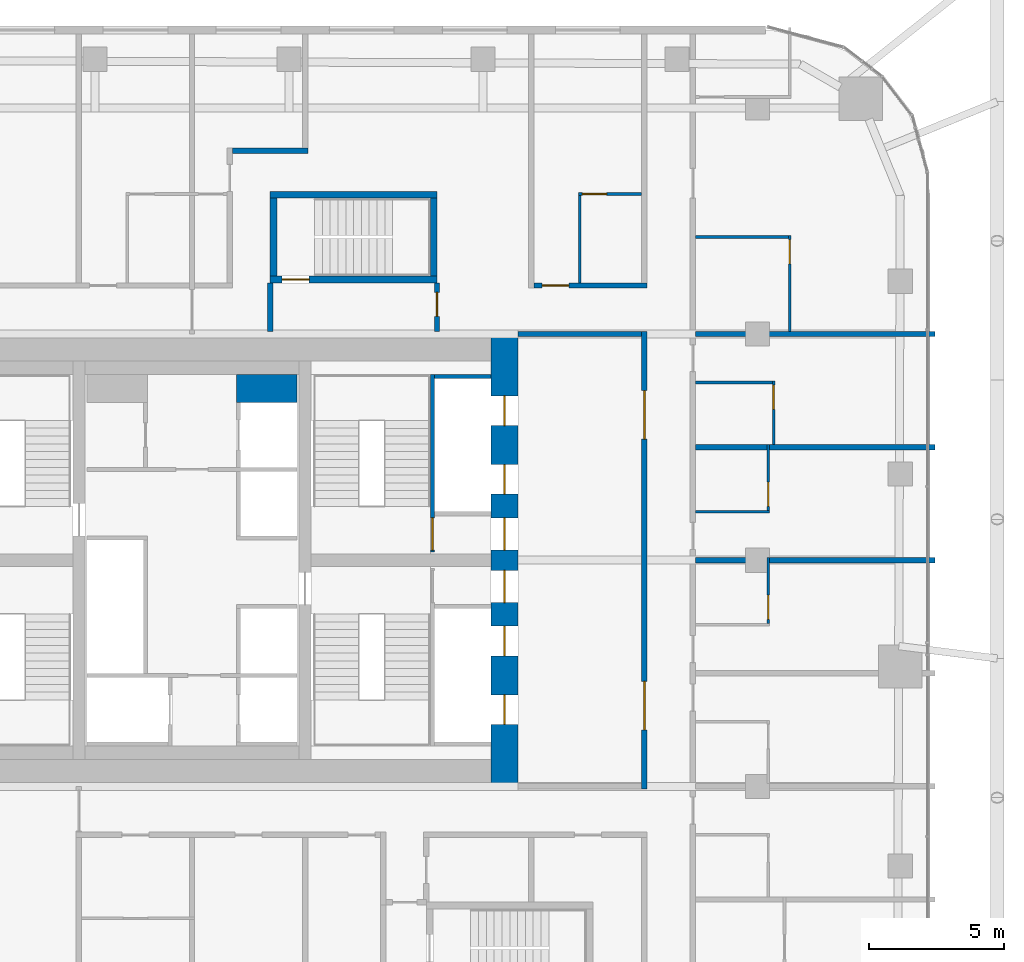
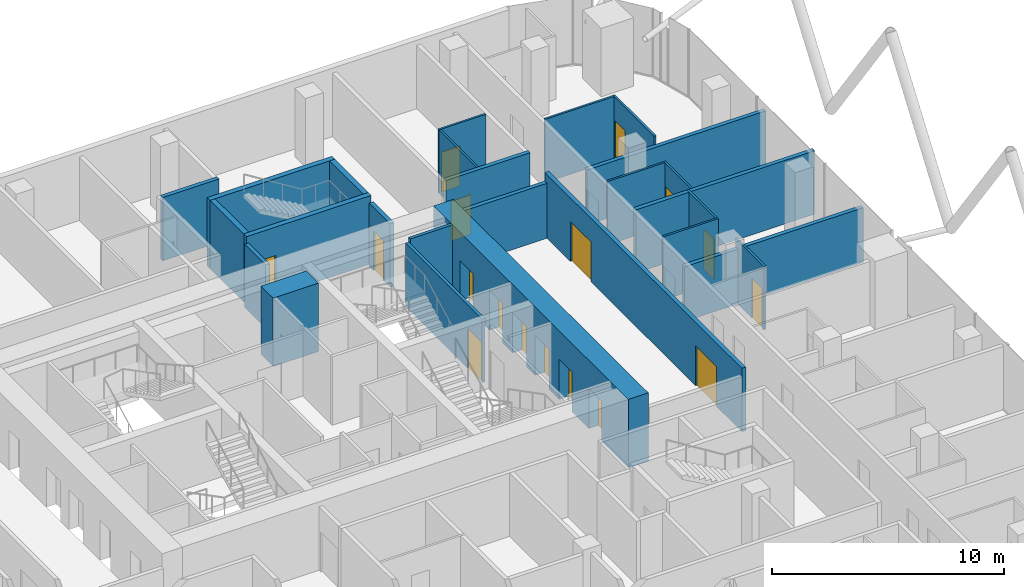
# One storey, part 33 of 36: 26 walls, 17 doors, 17 openings.
"""IFC4 building model written with IfcOpenShell, lengths in metres."""

from ifc_helpers import new_model, si_unit, direction, frame, frame_2d, origin, place, context, subcontext, project, spatial, rectangle, extrude, material, layer, layer_set, type_object, element, fill, save


model = new_model("IFC4")

# Units and contexts
model_context = context("Model", 3, precision=1e-05, world=origin(), true_north=direction((0.0, 1.0)))
body_context = subcontext(model_context, "Body", "Model", "MODEL_VIEW")
ifc_project = project(units=[si_unit("LENGTHUNIT", "METRE"), si_unit("AREAUNIT", "SQUARE_METRE"), si_unit("VOLUMEUNIT", "CUBIC_METRE"), si_unit("PLANEANGLEUNIT", "RADIAN"), si_unit("MASSUNIT", "GRAM", prefix="KILO")], contexts=[model_context])

# Site, building, storey
site_placement = place(None, origin())
site = spatial("IfcSite", under=ifc_project, at=site_placement, CompositionType="ELEMENT")
building_placement = place(site_placement, origin())
building = spatial("IfcBuilding", under=site, at=building_placement, Name="Marenta Gate Hotel Tower", CompositionType="ELEMENT")
storey_placement = place(building_placement, frame((0.0, 0.0, 144.5)))
storey = spatial("IfcBuildingStorey", under=building, at=storey_placement, Name="L33", CompositionType="ELEMENT", Elevation=144.5)

# Wall, openings, doors
ifc_material_1 = material(Name="Concrete blockwork", Category="masonry")
ifc_layer_1 = layer(ifc_material_1, 0.199951171875)
ifc_layer_set_1 = layer_set([ifc_layer_1], Name="Concrete blockwork")
wall_type_1 = type_object("IfcWallType", Name="Core boundary wall 200 REI 180", PredefinedType="PARTITIONING", material=ifc_layer_set_1)
wall_1_placement = place(storey_placement, frame((16.800048828125, -0.10009765625, 0.0), z_axis=(0.0, 0.0, 1.0), x_axis=(0.0, 1.0, 0.0)))
wall_1 = element("IfcWall", 1, at=wall_1_placement, inside=storey, type_object=wall_type_1, Name="L33-CP-BW-E", PredefinedType="PARTITIONING", context=body_context, shape_type="SweptSolid", body=[
    extrude(rectangle(XDim=17.0, YDim=0.199951171875, at=frame_2d((8.5, 0.0))), origin(), (0.0, 0.0, 1.0), 3.340087890625),
])
opening_1_placement = place(wall_1_placement, frame((2.199951171875, 0.0, 0.0)))
opening_1 = element("IfcOpeningElement", 2, at=opening_1_placement, cuts=wall_1, Name="Opening ED-Ea-B", PredefinedType="OPENING", context=body_context, shape_type="SweptSolid", body=[
    extrude(rectangle(XDim=1.800048828125, YDim=2.10009765625, at=frame_2d((0.89990234375, 1.050048828125))), frame((0.0, 0.10009765625, 0.0), z_axis=(0.0, -1.0, 0.0), x_axis=(1.0, 0.0, 0.0)), (0.0, 0.0, 1.0), 0.199951171875),
])
opening_2_placement = place(wall_1_placement, frame((13.0, 0.0, 0.0)))
opening_2 = element("IfcOpeningElement", 3, at=opening_2_placement, cuts=wall_1, Name="Opening ED-Eb-B", PredefinedType="OPENING", context=body_context, shape_type="SweptSolid", body=[
    extrude(rectangle(XDim=1.800048828125, YDim=2.10009765625, at=frame_2d((0.89990234375, 1.050048828125))), frame((0.0, 0.10009765625, 0.0), z_axis=(0.0, -1.0, 0.0), x_axis=(1.0, 0.0, 0.0)), (0.0, 0.0, 1.0), 0.199951171875),
])
ifc_material_2 = material(Name="Steel", Category="steel")
door_type_1 = type_object("IfcDoorType", Name="Core lobby entrance door 1800x2100 EI 60", OperationType="DOUBLE_DOOR_SINGLE_SWING", PredefinedType="DOOR", material=ifc_material_2)
door_1_placement = place(opening_1_placement, origin())
door_1 = element("IfcDoor", 4, at=door_1_placement, inside=storey, type_object=door_type_1, Name="ED-Ea-B", OperationType="DOUBLE_DOOR_SINGLE_SWING", OverallHeight=2.10009765625, OverallWidth=1.800048828125, PredefinedType="DOOR", context=body_context, shape_type="SweptSolid", body=[
    extrude(rectangle(XDim=1.800048828125, YDim=2.10009765625, at=frame_2d((0.89990234375, 1.050048828125))), frame((0.0, 0.02490234375, 0.0), z_axis=(0.0, -1.0, 0.0), x_axis=(1.0, 0.0, 0.0)), (0.0, 0.0, 1.0), 0.050048828125),
])
fill(opening_1, door_1)
door_2_placement = place(opening_2_placement, origin())
door_2 = element("IfcDoor", 5, at=door_2_placement, inside=storey, type_object=door_type_1, Name="ED-Eb-B", OperationType="DOUBLE_DOOR_SINGLE_SWING", OverallHeight=2.10009765625, OverallWidth=1.800048828125, PredefinedType="DOOR", context=body_context, shape_type="SweptSolid", body=[
    extrude(rectangle(XDim=1.800048828125, YDim=2.10009765625, at=frame_2d((0.89990234375, 1.050048828125))), frame((0.0, 0.02490234375, 0.0), z_axis=(0.0, -1.0, 0.0), x_axis=(1.0, 0.0, 0.0)), (0.0, 0.0, 1.0), 0.050048828125),
])
fill(opening_2, door_2)

# Walls
wall_2_placement = place(storey_placement, frame((12.10009765625, 16.800048828125, 0.0), z_axis=(0.0, 0.0, 1.0), x_axis=(1.0, 0.0, 0.0)))
element("IfcWall", 6, at=wall_2_placement, inside=storey, type_object=wall_type_1, Name="L33-CP-EW-EN", PredefinedType="PARTITIONING", context=body_context, shape_type="SweptSolid", body=[
    extrude(rectangle(XDim=4.599853515625, YDim=0.199951171875, at=frame_2d((2.2998046875, 0.0))), origin(), (0.0, 0.0, 1.0), 2.889892578125),
])
ifc_material_3 = material(Name="Concrete C40", Category="concrete")
ifc_layer_2 = layer(ifc_material_3, 1.050048828125)
ifc_layer_set_2 = layer_set([ifc_layer_2], Name="Concrete C40")
wall_type_2 = type_object("IfcWallType", Name="Core shaft wall 1050 REI 180", PredefinedType="SHEAR", material=ifc_layer_set_2)
wall_3_placement = place(storey_placement, frame((1.64990234375, 14.77490234375, 0.0), z_axis=(0.0, 0.0, 1.0), x_axis=(1.0, 0.0, 0.0)))
element("IfcWall", 7, at=wall_3_placement, inside=storey, type_object=wall_type_2, Name="L33-SHF-CE-N-top", PredefinedType="SHEAR", context=body_context, shape_type="SweptSolid", body=[
    extrude(rectangle(XDim=2.25, YDim=1.050048828125, at=frame_2d((1.125, 0.0))), origin(), (0.0, 0.0, 1.0), 3.60009765625),
])
ifc_material_4 = material(Name="Concrete C40", Category="concrete")
ifc_layer_3 = layer(ifc_material_4, 0.14990234375)
ifc_layer_set_3 = layer_set([ifc_layer_3], Name="Concrete C40")
wall_type_3 = type_object("IfcWallType", Name="Core shaft wall 150 REI 180", PredefinedType="SHEAR", material=ifc_layer_set_3)
wall_4_placement = place(storey_placement, frame((9.0, 15.22509765625, 0.0), z_axis=(0.0, 0.0, 1.0), x_axis=(1.0, 0.0, 0.0)))
element("IfcWall", 8, at=wall_4_placement, inside=storey, type_object=wall_type_3, Name="L33-SHF-SW-EN-5", PredefinedType="SHEAR", context=body_context, shape_type="SweptSolid", body=[
    extrude(rectangle(XDim=2.10009765625, YDim=0.14990234375, at=frame_2d((1.050048828125, 0.0))), origin(), (0.0, 0.0, 1.0), 3.60009765625),
])

# Wall, opening, door
ifc_material_5 = material(Name="Concrete C40", Category="concrete")
ifc_layer_4 = layer(ifc_material_5, 0.14990234375)
ifc_layer_set_4 = layer_set([ifc_layer_4], Name="Concrete C40")
wall_type_4 = type_object("IfcWallType", Name="Core stair enclosure wall 150 REI 180", PredefinedType="SHEAR", material=ifc_layer_set_4)
wall_5_placement = place(storey_placement, frame((8.925048828125, 8.699951171875, 0.0), z_axis=(0.0, 0.0, 1.0), x_axis=(0.0, 1.0, 0.0)))
wall_5 = element("IfcWall", 9, at=wall_5_placement, inside=storey, type_object=wall_type_4, Name="L33-SHF-SW-EN-3", PredefinedType="SHEAR", context=body_context, shape_type="SweptSolid", body=[
    extrude(rectangle(XDim=6.60009765625, YDim=0.14990234375, at=frame_2d((3.300048828125, 0.0))), origin(), (0.0, 0.0, 1.0), 3.340087890625),
])
opening_3_placement = place(wall_5_placement, frame((0.074951171875, 0.0, 0.0)))
opening_3 = element("IfcOpeningElement", 10, at=opening_3_placement, cuts=wall_5, Name="Opening SD-EN", PredefinedType="OPENING", context=body_context, shape_type="SweptSolid", body=[
    extrude(rectangle(XDim=1.199951171875, YDim=2.10009765625, at=frame_2d((0.60009765625, 1.050048828125))), frame((0.0, 0.074951171875, 0.0), z_axis=(0.0, -1.0, 0.0), x_axis=(1.0, 0.0, 0.0)), (0.0, 0.0, 1.0), 0.14990234375),
])
ifc_material_6 = material(Name="Steel", Category="steel")
door_type_2 = type_object("IfcDoorType", Name="Core stair door 1200x2100 FD60", OperationType="SINGLE_SWING_LEFT", PredefinedType="DOOR", material=ifc_material_6)
door_3_placement = place(opening_3_placement, origin())
door_3 = element("IfcDoor", 11, at=door_3_placement, inside=storey, type_object=door_type_2, Name="SD-EN", OperationType="SINGLE_SWING_LEFT", OverallHeight=2.10009765625, OverallWidth=1.199951171875, PredefinedType="DOOR", context=body_context, shape_type="SweptSolid", body=[
    extrude(rectangle(XDim=1.199951171875, YDim=2.10009765625, at=frame_2d((0.60009765625, 1.050048828125))), frame((0.0, 0.02490234375, 0.0), z_axis=(0.0, -1.0, 0.0), x_axis=(1.0, 0.0, 0.0)), (0.0, 0.0, 1.0), 0.050048828125),
])
fill(opening_3, door_3)

# Wall, openings, doors
ifc_material_7 = material(Name="Concrete C70", Category="concrete")
ifc_layer_5 = layer(ifc_material_7, 1.0)
ifc_layer_set_5 = layer_set([ifc_layer_5], Name="Concrete C70")
wall_type_5 = type_object("IfcWallType", Name="Core wall 1000 C70", PredefinedType="SHEAR", material=ifc_layer_set_5)
wall_6_placement = place(storey_placement, frame((11.60009765625, 0.0, 0.0), z_axis=(0.0, 0.0, 1.0), x_axis=(0.0, 1.0, 0.0)))
wall_6 = element("IfcWall", 12, at=wall_6_placement, inside=storey, type_object=wall_type_5, Name="L33-CORE-E", PredefinedType="SHEAR", context=body_context, shape_type="SweptSolid", body=[
    extrude(rectangle(XDim=16.800048828125, YDim=1.0, at=frame_2d((8.39990234375, 0.0))), origin(), (0.0, 0.0, 1.0), 3.60009765625),
])
opening_4_placement = place(wall_6_placement, frame((2.300048828125, 0.0, 0.0)))
opening_4 = element("IfcOpeningElement", 13, at=opening_4_placement, cuts=wall_6, Name="Opening LD-HR1", PredefinedType="OPENING", context=body_context, shape_type="SweptSolid", body=[
    extrude(rectangle(XDim=1.10009765625, YDim=2.10009765625, at=frame_2d((0.550048828125, 1.050048828125))), frame((0.0, 0.5, 0.0), z_axis=(0.0, -1.0, 0.0), x_axis=(1.0, 0.0, 0.0)), (0.0, 0.0, 1.0), 1.0),
])
opening_5_placement = place(wall_6_placement, frame((4.85009765625, 0.0, 0.0)))
opening_5 = element("IfcOpeningElement", 14, at=opening_5_placement, cuts=wall_6, Name="Opening LD-HR2", PredefinedType="OPENING", context=body_context, shape_type="SweptSolid", body=[
    extrude(rectangle(XDim=1.10009765625, YDim=2.10009765625, at=frame_2d((0.550048828125, 1.050048828125))), frame((0.0, 0.5, 0.0), z_axis=(0.0, -1.0, 0.0), x_axis=(1.0, 0.0, 0.0)), (0.0, 0.0, 1.0), 1.0),
])
opening_6_placement = place(wall_6_placement, frame((6.824951171875, 0.0, 0.0)))
opening_6 = element("IfcOpeningElement", 15, at=opening_6_placement, cuts=wall_6, Name="Opening PD-ES", PredefinedType="OPENING", context=body_context, shape_type="SweptSolid", body=[
    extrude(rectangle(XDim=1.199951171875, YDim=2.10009765625, at=frame_2d((0.60009765625, 1.050048828125))), frame((0.0, 0.5, 0.0), z_axis=(0.0, -1.0, 0.0), x_axis=(1.0, 0.0, 0.0)), (0.0, 0.0, 1.0), 1.0),
])
opening_7_placement = place(wall_6_placement, frame((13.39990234375, 0.0, 0.0)))
opening_7 = element("IfcOpeningElement", 16, at=opening_7_placement, cuts=wall_6, Name="Opening LD-HR4", PredefinedType="OPENING", context=body_context, shape_type="SweptSolid", body=[
    extrude(rectangle(XDim=1.10009765625, YDim=2.10009765625, at=frame_2d((0.550048828125, 1.050048828125))), frame((0.0, 0.5, 0.0), z_axis=(0.0, -1.0, 0.0), x_axis=(1.0, 0.0, 0.0)), (0.0, 0.0, 1.0), 1.0),
])
opening_8_placement = place(wall_6_placement, frame((10.85009765625, 0.0, 0.0)))
opening_8 = element("IfcOpeningElement", 17, at=opening_8_placement, cuts=wall_6, Name="Opening LD-HR3", PredefinedType="OPENING", context=body_context, shape_type="SweptSolid", body=[
    extrude(rectangle(XDim=1.10009765625, YDim=2.10009765625, at=frame_2d((0.550048828125, 1.050048828125))), frame((0.0, 0.5, 0.0), z_axis=(0.0, -1.0, 0.0), x_axis=(1.0, 0.0, 0.0)), (0.0, 0.0, 1.0), 1.0),
])
opening_9_placement = place(wall_6_placement, frame((8.77490234375, 0.0, 0.0)))
opening_9 = element("IfcOpeningElement", 18, at=opening_9_placement, cuts=wall_6, Name="Opening PD-EN", PredefinedType="OPENING", context=body_context, shape_type="SweptSolid", body=[
    extrude(rectangle(XDim=1.199951171875, YDim=2.10009765625, at=frame_2d((0.60009765625, 1.050048828125))), frame((0.0, 0.5, 0.0), z_axis=(0.0, -1.0, 0.0), x_axis=(1.0, 0.0, 0.0)), (0.0, 0.0, 1.0), 1.0),
])
ifc_material_8 = material(Name="Steel", Category="steel")
door_type_3 = type_object("IfcDoorType", Name="Core lift landing door 1100x2100 E 60", OperationType="SLIDING_TO_LEFT", PredefinedType="DOOR", material=ifc_material_8)
door_4_placement = place(opening_4_placement, origin())
door_4 = element("IfcDoor", 19, at=door_4_placement, inside=storey, type_object=door_type_3, Name="LD-HR1", OperationType="SLIDING_TO_LEFT", OverallHeight=2.10009765625, OverallWidth=1.10009765625, PredefinedType="DOOR", context=body_context, shape_type="SweptSolid", body=[
    extrude(rectangle(XDim=1.10009765625, YDim=2.10009765625, at=frame_2d((0.550048828125, 1.050048828125))), frame((0.0, 0.02490234375, 0.0), z_axis=(0.0, -1.0, 0.0), x_axis=(1.0, 0.0, 0.0)), (0.0, 0.0, 1.0), 0.050048828125),
])
fill(opening_4, door_4)
door_5_placement = place(opening_5_placement, origin())
door_5 = element("IfcDoor", 20, at=door_5_placement, inside=storey, type_object=door_type_3, Name="LD-HR2", OperationType="SLIDING_TO_LEFT", OverallHeight=2.10009765625, OverallWidth=1.10009765625, PredefinedType="DOOR", context=body_context, shape_type="SweptSolid", body=[
    extrude(rectangle(XDim=1.10009765625, YDim=2.10009765625, at=frame_2d((0.550048828125, 1.050048828125))), frame((0.0, 0.02490234375, 0.0), z_axis=(0.0, -1.0, 0.0), x_axis=(1.0, 0.0, 0.0)), (0.0, 0.0, 1.0), 0.050048828125),
])
fill(opening_5, door_5)
door_6_placement = place(opening_7_placement, origin())
door_6 = element("IfcDoor", 21, at=door_6_placement, inside=storey, type_object=door_type_3, Name="LD-HR4", OperationType="SLIDING_TO_LEFT", OverallHeight=2.10009765625, OverallWidth=1.10009765625, PredefinedType="DOOR", context=body_context, shape_type="SweptSolid", body=[
    extrude(rectangle(XDim=1.10009765625, YDim=2.10009765625, at=frame_2d((0.550048828125, 1.050048828125))), frame((0.0, 0.02490234375, 0.0), z_axis=(0.0, -1.0, 0.0), x_axis=(1.0, 0.0, 0.0)), (0.0, 0.0, 1.0), 0.050048828125),
])
fill(opening_7, door_6)
door_7_placement = place(opening_8_placement, origin())
door_7 = element("IfcDoor", 22, at=door_7_placement, inside=storey, type_object=door_type_3, Name="LD-HR3", OperationType="SLIDING_TO_LEFT", OverallHeight=2.10009765625, OverallWidth=1.10009765625, PredefinedType="DOOR", context=body_context, shape_type="SweptSolid", body=[
    extrude(rectangle(XDim=1.10009765625, YDim=2.10009765625, at=frame_2d((0.550048828125, 1.050048828125))), frame((0.0, 0.02490234375, 0.0), z_axis=(0.0, -1.0, 0.0), x_axis=(1.0, 0.0, 0.0)), (0.0, 0.0, 1.0), 0.050048828125),
])
fill(opening_8, door_7)
ifc_material_9 = material(Name="Steel", Category="steel")
door_type_4 = type_object("IfcDoorType", Name="Core lobby door 1200x2100 FD60", OperationType="SINGLE_SWING_LEFT", PredefinedType="DOOR", material=ifc_material_9)
door_8_placement = place(opening_6_placement, origin())
door_8 = element("IfcDoor", 23, at=door_8_placement, inside=storey, type_object=door_type_4, Name="PD-ES", OperationType="SINGLE_SWING_LEFT", OverallHeight=2.10009765625, OverallWidth=1.199951171875, PredefinedType="DOOR", context=body_context, shape_type="SweptSolid", body=[
    extrude(rectangle(XDim=1.199951171875, YDim=2.10009765625, at=frame_2d((0.60009765625, 1.050048828125))), frame((0.0, 0.02490234375, 0.0), z_axis=(0.0, -1.0, 0.0), x_axis=(1.0, 0.0, 0.0)), (0.0, 0.0, 1.0), 0.050048828125),
])
fill(opening_6, door_8)
door_9_placement = place(opening_9_placement, origin())
door_9 = element("IfcDoor", 24, at=door_9_placement, inside=storey, type_object=door_type_4, Name="PD-EN", OperationType="SINGLE_SWING_LEFT", OverallHeight=2.10009765625, OverallWidth=1.199951171875, PredefinedType="DOOR", context=body_context, shape_type="SweptSolid", body=[
    extrude(rectangle(XDim=1.199951171875, YDim=2.10009765625, at=frame_2d((0.60009765625, 1.050048828125))), frame((0.0, 0.02490234375, 0.0), z_axis=(0.0, -1.0, 0.0), x_axis=(1.0, 0.0, 0.0)), (0.0, 0.0, 1.0), 0.050048828125),
])
fill(opening_9, door_9)

# Wall, opening, door
ifc_material_10 = material(Name="Concrete C40", Category="concrete")
ifc_layer_6 = layer(ifc_material_10, 0.25)
ifc_layer_set_6 = layer_set([ifc_layer_6], Name="Concrete C40")
wall_type_6 = type_object("IfcWallType", Name="Remote stair enclosure wall 250 REI 180", PredefinedType="SHEAR", material=ifc_layer_set_6)
wall_7_placement = place(storey_placement, frame((2.89990234375, 18.824951171875, 0.10009765625), z_axis=(0.0, 0.0, 1.0), x_axis=(1.0, 0.0, 0.0)))
wall_7 = element("IfcWall", 25, at=wall_7_placement, inside=storey, type_object=wall_type_6, Name="L33-RS-Z2-4-W1", PredefinedType="SHEAR", context=body_context, shape_type="SweptSolid", body=[
    extrude(rectangle(XDim=6.2001953125, YDim=0.25, at=frame_2d((3.10009765625, 0.0))), origin(), (0.0, 0.0, 1.0), 3.599853515625),
])
opening_10_placement = place(wall_7_placement, frame((0.449951171875, 0.0, 0.0)))
opening_10 = element("IfcOpeningElement", 26, at=opening_10_placement, cuts=wall_7, Name="Opening VD", PredefinedType="OPENING", context=body_context, shape_type="SweptSolid", body=[
    extrude(rectangle(XDim=1.0, YDim=2.10009765625, at=frame_2d((0.5, 1.050048828125))), frame((0.0, 0.125, 0.0), z_axis=(0.0, -1.0, 0.0), x_axis=(1.0, 0.0, 0.0)), (0.0, 0.0, 1.0), 0.25),
])
ifc_material_11 = material(Name="Steel", Category="steel")
door_type_5 = type_object("IfcDoorType", Name="Stair vestibule door 1000x2100 FD60", OperationType="SINGLE_SWING_LEFT", PredefinedType="DOOR", material=ifc_material_11)
door_10_placement = place(opening_10_placement, origin())
door_10 = element("IfcDoor", 27, at=door_10_placement, inside=storey, type_object=door_type_5, Name="VD", OperationType="SINGLE_SWING_LEFT", OverallHeight=2.10009765625, OverallWidth=1.0, PredefinedType="DOOR", context=body_context, shape_type="SweptSolid", body=[
    extrude(rectangle(XDim=1.0, YDim=2.10009765625, at=frame_2d((0.5, 1.050048828125))), frame((0.0, 0.02490234375, 0.0), z_axis=(0.0, -1.0, 0.0), x_axis=(1.0, 0.0, 0.0)), (0.0, 0.0, 1.0), 0.050048828125),
])
fill(opening_10, door_10)

# Walls
wall_8_placement = place(storey_placement, frame((2.89990234375, 21.97509765625, 0.10009765625), z_axis=(0.0, 0.0, 1.0), x_axis=(1.0, 0.0, 0.0)))
element("IfcWall", 28, at=wall_8_placement, inside=storey, type_object=wall_type_6, Name="L33-RS-Z2-4-W2", PredefinedType="SHEAR", context=body_context, shape_type="SweptSolid", body=[
    extrude(rectangle(XDim=6.2001953125, YDim=0.25, at=frame_2d((3.10009765625, 0.0))), origin(), (0.0, 0.0, 1.0), 3.599853515625),
])
for number, where, z_axis, x_axis, name in (
    (29, (3.02490234375, 18.949951171875, 0.10009765625), (0.0, 0.0, 1.0), (0.0, 1.0, 0.0), "L33-RS-Z2-4-W3"),
    (30, (8.97509765625, 18.949951171875, 0.10009765625), (0.0, 0.0, 1.0), (0.0, 1.0, 0.0), "L33-RS-Z2-4-W4"),
):
    element("IfcWall", number, at=place(storey_placement, frame(where, z_axis=z_axis, x_axis=x_axis)), inside=storey, type_object=wall_type_6, Name=name, PredefinedType="SHEAR", context=body_context, shape_type="SweptSolid", body=[
        extrude(rectangle(XDim=2.900146484375, YDim=0.25, at=frame_2d((1.4501953125, 0.0))), origin(), (0.0, 0.0, 1.0), 3.599853515625),
    ])

# Wall, opening, door
ifc_material_12 = material(Name="Gypsum board on steel stud", Category="steel")
ifc_layer_7 = layer(ifc_material_12, 0.199951171875)
ifc_layer_set_7 = layer_set([ifc_layer_7], Name="Gypsum board on steel stud")
wall_type_7 = type_object("IfcWallType", Name="Room corridor wall 200 EI 60", PredefinedType="PARTITIONING", material=ifc_layer_set_7)
wall_9_placement = place(storey_placement, frame((12.699951171875, 18.60009765625, 0.0), z_axis=(0.0, 0.0, 1.0), x_axis=(1.0, 0.0, 0.0)))
wall_9 = element("IfcWall", 31, at=wall_9_placement, inside=storey, type_object=wall_type_7, Name="L33-PTN-W113", PredefinedType="PARTITIONING", context=body_context, shape_type="SweptSolid", body=[
    extrude(rectangle(XDim=4.199951171875, YDim=0.199951171875, at=frame_2d((2.10009765625, 0.0))), origin(), (0.0, 0.0, 1.0), 3.340087890625),
])
opening_11_placement = place(wall_9_placement, frame((0.300048828125, 0.0, 0.0)))
opening_11 = element("IfcOpeningElement", 32, at=opening_11_placement, cuts=wall_9, Name="Opening G12-36", PredefinedType="OPENING", context=body_context, shape_type="SweptSolid", body=[
    extrude(rectangle(XDim=1.0, YDim=2.10009765625, at=frame_2d((0.5, 1.050048828125))), frame((0.0, 0.10009765625, 0.0), z_axis=(0.0, -1.0, 0.0), x_axis=(1.0, 0.0, 0.0)), (0.0, 0.0, 1.0), 0.199951171875),
])
ifc_material_13 = material(Name="Timber door leaf", Category="wood")
door_type_6 = type_object("IfcDoorType", Name="Guest room door 1000x2100 EI 30", OperationType="NOTDEFINED", PredefinedType="DOOR", material=ifc_material_13)
door_11_placement = place(opening_11_placement, origin())
door_11 = element("IfcDoor", 33, at=door_11_placement, inside=storey, type_object=door_type_6, Name="L33-PD-D036", OperationType="SINGLE_SWING_LEFT", OverallHeight=2.10009765625, OverallWidth=1.0, PredefinedType="DOOR", context=body_context, shape_type="SweptSolid", body=[
    extrude(rectangle(XDim=1.0, YDim=2.10009765625, at=frame_2d((0.5, 1.050048828125))), frame((0.0, 0.02490234375, 0.0), z_axis=(0.0, -1.0, 0.0), x_axis=(1.0, 0.0, 0.0)), (0.0, 0.0, 1.0), 0.050048828125),
])
fill(opening_11, door_11)

# Wall
wall_10_placement = place(storey_placement, frame((1.5, 23.60009765625, 0.0), z_axis=(0.0, 0.0, 1.0), x_axis=(1.0, 0.0, 0.0)))
element("IfcWall", 34, at=wall_10_placement, inside=storey, type_object=wall_type_7, Name="L33-PTN-W127", PredefinedType="PARTITIONING", context=body_context, shape_type="SweptSolid", body=[
    extrude(rectangle(XDim=2.800048828125, YDim=0.199951171875, at=frame_2d((1.39990234375, 0.0))), origin(), (0.0, 0.0, 1.0), 3.340087890625),
])

# Wall, opening, door
ifc_material_14 = material(Name="Concrete blockwork", Category="masonry")
ifc_layer_8 = layer(ifc_material_14, 0.199951171875)
ifc_layer_set_8 = layer_set([ifc_layer_8], Name="Concrete blockwork")
wall_type_8 = type_object("IfcWallType", Name="Room corridor wall 200 REI 180", PredefinedType="PARTITIONING", material=ifc_layer_set_8)
wall_11_placement = place(storey_placement, frame((9.10009765625, 16.89990234375, 0.0), z_axis=(0.0, 0.0, 1.0), x_axis=(0.0, 1.0, 0.0)))
wall_11 = element("IfcWall", 35, at=wall_11_placement, inside=storey, type_object=wall_type_8, Name="L33-PTN-W042", PredefinedType="PARTITIONING", context=body_context, shape_type="SweptSolid", body=[
    extrude(rectangle(XDim=1.800048828125, YDim=0.199951171875, at=frame_2d((0.89990234375, 0.0))), origin(), (0.0, 0.0, 1.0), 3.340087890625),
])
opening_12_placement = place(wall_11_placement, frame((0.550048828125, 0.0, 0.0)))
opening_12 = element("IfcOpeningElement", 36, at=opening_12_placement, cuts=wall_11, Name="Opening G12-68", PredefinedType="OPENING", context=body_context, shape_type="SweptSolid", body=[
    extrude(rectangle(XDim=0.89990234375, YDim=2.10009765625, at=frame_2d((0.449951171875, 1.050048828125))), frame((0.0, 0.10009765625, 0.0), z_axis=(0.0, -1.0, 0.0), x_axis=(1.0, 0.0, 0.0)), (0.0, 0.0, 1.0), 0.199951171875),
])
ifc_material_15 = material(Name="Hollow steel door set", Category="steel")
door_type_7 = type_object("IfcDoorType", Name="Stair vestibule door 900x2100 EI 60", OperationType="NOTDEFINED", PredefinedType="DOOR", material=ifc_material_15)
door_12_placement = place(opening_12_placement, origin())
door_12 = element("IfcDoor", 37, at=door_12_placement, inside=storey, type_object=door_type_7, Name="L33-PD-D068", OperationType="SINGLE_SWING_RIGHT", OverallHeight=2.10009765625, OverallWidth=0.89990234375, PredefinedType="DOOR", context=body_context, shape_type="SweptSolid", body=[
    extrude(rectangle(XDim=0.89990234375, YDim=2.10009765625, at=frame_2d((0.449951171875, 1.050048828125))), frame((0.0, 0.02490234375, 0.0), z_axis=(0.0, -1.0, 0.0), x_axis=(1.0, 0.0, 0.0)), (0.0, 0.0, 1.0), 0.050048828125),
])
fill(opening_12, door_12)

# Wall
wall_12_placement = place(storey_placement, frame((2.89990234375, 16.89990234375, 0.0), z_axis=(0.0, 0.0, 1.0), x_axis=(0.0, 1.0, 0.0)))
element("IfcWall", 38, at=wall_12_placement, inside=storey, type_object=wall_type_8, Name="L33-PTN-W065", PredefinedType="PARTITIONING", context=body_context, shape_type="SweptSolid", body=[
    extrude(rectangle(XDim=1.800048828125, YDim=0.199951171875, at=frame_2d((0.89990234375, 0.0))), origin(), (0.0, 0.0, 1.0), 3.340087890625),
])

# Wall, opening, door
ifc_material_16 = material(Name="Gypsum board on steel stud", Category="steel")
ifc_layer_9 = layer(ifc_material_16, 0.10009765625)
ifc_layer_set_9 = layer_set([ifc_layer_9], Name="Gypsum board on steel stud")
wall_type_9 = type_object("IfcWallType", Name="Room partition 100", PredefinedType="PARTITIONING", material=ifc_layer_set_9)
wall_13_placement = place(storey_placement, frame((22.199951171875, 16.89990234375, 0.0), z_axis=(0.0, 0.0, 1.0), x_axis=(0.0, 1.0, 0.0)))
wall_13 = element("IfcWall", 39, at=wall_13_placement, inside=storey, type_object=wall_type_9, Name="L33-PTN-W001", PredefinedType="PARTITIONING", context=body_context, shape_type="SweptSolid", body=[
    extrude(rectangle(XDim=3.550048828125, YDim=0.10009765625, at=frame_2d((1.77490234375, 0.0))), origin(), (0.0, 0.0, 1.0), 3.340087890625),
])
opening_13_placement = place(wall_13_placement, frame((2.5, 0.0, 0.0)))
opening_13 = element("IfcOpeningElement", 40, at=opening_13_placement, cuts=wall_13, Name="Opening G12-27", PredefinedType="OPENING", context=body_context, shape_type="SweptSolid", body=[
    extrude(rectangle(XDim=0.89990234375, YDim=2.10009765625, at=frame_2d((0.449951171875, 1.050048828125))), frame((0.0, 0.050048828125, 0.0), z_axis=(0.0, -1.0, 0.0), x_axis=(1.0, 0.0, 0.0)), (0.0, 0.0, 1.0), 0.10009765625),
])
ifc_material_17 = material(Name="Timber door leaf", Category="wood")
door_type_8 = type_object("IfcDoorType", Name="Guest bathroom door 900x2100", OperationType="NOTDEFINED", PredefinedType="DOOR", material=ifc_material_17)
door_13_placement = place(opening_13_placement, origin())
door_13 = element("IfcDoor", 41, at=door_13_placement, inside=storey, type_object=door_type_8, Name="L33-PD-D027", OperationType="SINGLE_SWING_RIGHT", OverallHeight=2.10009765625, OverallWidth=0.89990234375, PredefinedType="DOOR", context=body_context, shape_type="SweptSolid", body=[
    extrude(rectangle(XDim=0.89990234375, YDim=2.10009765625, at=frame_2d((0.449951171875, 1.050048828125))), frame((0.0, 0.02490234375, 0.0), z_axis=(0.0, -1.0, 0.0), x_axis=(1.0, 0.0, 0.0)), (0.0, 0.0, 1.0), 0.050048828125),
])
fill(opening_13, door_13)

wall_14_placement = place(storey_placement, frame((21.60009765625, 12.699951171875, 0.0), z_axis=(0.0, 0.0, 1.0), x_axis=(0.0, 1.0, 0.0)))
wall_14 = element("IfcWall", 42, at=wall_14_placement, inside=storey, type_object=wall_type_9, Name="L33-PTN-W007", PredefinedType="PARTITIONING", context=body_context, shape_type="SweptSolid", body=[
    extrude(rectangle(XDim=2.35009765625, YDim=0.10009765625, at=frame_2d((1.175048828125, 0.0))), origin(), (0.0, 0.0, 1.0), 3.340087890625),
])
opening_14_placement = place(wall_14_placement, frame((1.300048828125, 0.0, 0.0)))
opening_14 = element("IfcOpeningElement", 43, at=opening_14_placement, cuts=wall_14, Name="Opening G12-25", PredefinedType="OPENING", context=body_context, shape_type="SweptSolid", body=[
    extrude(rectangle(XDim=0.89990234375, YDim=2.10009765625, at=frame_2d((0.449951171875, 1.050048828125))), frame((0.0, 0.050048828125, 0.0), z_axis=(0.0, -1.0, 0.0), x_axis=(1.0, 0.0, 0.0)), (0.0, 0.0, 1.0), 0.10009765625),
])
door_14_placement = place(opening_14_placement, origin())
door_14 = element("IfcDoor", 44, at=door_14_placement, inside=storey, type_object=door_type_8, Name="L33-PD-D025", OperationType="SINGLE_SWING_RIGHT", OverallHeight=2.10009765625, OverallWidth=0.89990234375, PredefinedType="DOOR", context=body_context, shape_type="SweptSolid", body=[
    extrude(rectangle(XDim=0.89990234375, YDim=2.10009765625, at=frame_2d((0.449951171875, 1.050048828125))), frame((0.0, 0.02490234375, 0.0), z_axis=(0.0, -1.0, 0.0), x_axis=(1.0, 0.0, 0.0)), (0.0, 0.0, 1.0), 0.050048828125),
])
fill(opening_14, door_14)

wall_15_placement = place(storey_placement, frame((21.39990234375, 6.050048828125, 0.0), z_axis=(0.0, 0.0, 1.0), x_axis=(0.0, 1.0, 0.0)))
wall_15 = element("IfcWall", 45, at=wall_15_placement, inside=storey, type_object=wall_type_9, Name="L33-PTN-W010", PredefinedType="PARTITIONING", context=body_context, shape_type="SweptSolid", body=[
    extrude(rectangle(XDim=2.449951171875, YDim=0.10009765625, at=frame_2d((1.22509765625, 0.0))), origin(), (0.0, 0.0, 1.0), 3.340087890625),
])
opening_15_placement = place(wall_15_placement, frame((0.14990234375, 0.0, 0.0)))
opening_15 = element("IfcOpeningElement", 46, at=opening_15_placement, cuts=wall_15, Name="Opening G12-21", PredefinedType="OPENING", context=body_context, shape_type="SweptSolid", body=[
    extrude(rectangle(XDim=0.89990234375, YDim=2.10009765625, at=frame_2d((0.449951171875, 1.050048828125))), frame((0.0, 0.050048828125, 0.0), z_axis=(0.0, -1.0, 0.0), x_axis=(1.0, 0.0, 0.0)), (0.0, 0.0, 1.0), 0.10009765625),
])
door_15_placement = place(opening_15_placement, origin())
door_15 = element("IfcDoor", 47, at=door_15_placement, inside=storey, type_object=door_type_8, Name="L33-PD-D021", OperationType="SINGLE_SWING_LEFT", OverallHeight=2.10009765625, OverallWidth=0.89990234375, PredefinedType="DOOR", context=body_context, shape_type="SweptSolid", body=[
    extrude(rectangle(XDim=0.89990234375, YDim=2.10009765625, at=frame_2d((0.449951171875, 1.050048828125))), frame((0.0, 0.02490234375, 0.0), z_axis=(0.0, -1.0, 0.0), x_axis=(1.0, 0.0, 0.0)), (0.0, 0.0, 1.0), 0.050048828125),
])
fill(opening_15, door_15)

wall_16_placement = place(storey_placement, frame((21.39990234375, 10.25, 0.0), z_axis=(0.0, 0.0, 1.0), x_axis=(0.0, 1.0, 0.0)))
wall_16 = element("IfcWall", 48, at=wall_16_placement, inside=storey, type_object=wall_type_9, Name="L33-PTN-W011", PredefinedType="PARTITIONING", context=body_context, shape_type="SweptSolid", body=[
    extrude(rectangle(XDim=2.449951171875, YDim=0.10009765625, at=frame_2d((1.22509765625, 0.0))), origin(), (0.0, 0.0, 1.0), 3.340087890625),
])
opening_16_placement = place(wall_16_placement, frame((0.14990234375, 0.0, 0.0)))
opening_16 = element("IfcOpeningElement", 49, at=opening_16_placement, cuts=wall_16, Name="Opening G12-23", PredefinedType="OPENING", context=body_context, shape_type="SweptSolid", body=[
    extrude(rectangle(XDim=0.89990234375, YDim=2.10009765625, at=frame_2d((0.449951171875, 1.050048828125))), frame((0.0, 0.050048828125, 0.0), z_axis=(0.0, -1.0, 0.0), x_axis=(1.0, 0.0, 0.0)), (0.0, 0.0, 1.0), 0.10009765625),
])
door_16_placement = place(opening_16_placement, origin())
door_16 = element("IfcDoor", 50, at=door_16_placement, inside=storey, type_object=door_type_8, Name="L33-PD-D023", OperationType="SINGLE_SWING_LEFT", OverallHeight=2.10009765625, OverallWidth=0.89990234375, PredefinedType="DOOR", context=body_context, shape_type="SweptSolid", body=[
    extrude(rectangle(XDim=0.89990234375, YDim=2.10009765625, at=frame_2d((0.449951171875, 1.050048828125))), frame((0.0, 0.02490234375, 0.0), z_axis=(0.0, -1.0, 0.0), x_axis=(1.0, 0.0, 0.0)), (0.0, 0.0, 1.0), 0.050048828125),
])
fill(opening_16, door_16)

# Walls
wall_17_placement = place(storey_placement, frame((14.39990234375, 18.699951171875, 0.0), z_axis=(0.0, 0.0, 1.0), x_axis=(0.0, 1.0, 0.0)))
element("IfcWall", 51, at=wall_17_placement, inside=storey, type_object=wall_type_9, Name="L33-PTN-W026", PredefinedType="PARTITIONING", context=body_context, shape_type="SweptSolid", body=[
    extrude(rectangle(XDim=3.25, YDim=0.10009765625, at=frame_2d((1.625, 0.0))), origin(), (0.0, 0.0, 1.0), 3.340087890625),
])
wall_18_placement = place(storey_placement, frame((18.699951171875, 10.199951171875, 0.0), z_axis=(0.0, 0.0, 1.0), x_axis=(1.0, 0.0, 0.0)))
element("IfcWall", 52, at=wall_18_placement, inside=storey, type_object=wall_type_9, Name="L33-PTN-W094", PredefinedType="PARTITIONING", context=body_context, shape_type="SweptSolid", body=[
    extrude(rectangle(XDim=2.75, YDim=0.10009765625, at=frame_2d((1.375, 0.0))), origin(), (0.0, 0.0, 1.0), 3.340087890625),
])
wall_19_placement = place(storey_placement, frame((18.699951171875, 15.0, 0.0), z_axis=(0.0, 0.0, 1.0), x_axis=(1.0, 0.0, 0.0)))
element("IfcWall", 53, at=wall_19_placement, inside=storey, type_object=wall_type_9, Name="L33-PTN-W101", PredefinedType="PARTITIONING", context=body_context, shape_type="SweptSolid", body=[
    extrude(rectangle(XDim=2.85009765625, YDim=0.10009765625, at=frame_2d((1.425048828125, 0.0))), origin(), (0.0, 0.0, 1.0), 3.340087890625),
])
wall_20_placement = place(storey_placement, frame((18.699951171875, 20.39990234375, 0.0), z_axis=(0.0, 0.0, 1.0), x_axis=(1.0, 0.0, 0.0)))
element("IfcWall", 54, at=wall_20_placement, inside=storey, type_object=wall_type_9, Name="L33-PTN-W115", PredefinedType="PARTITIONING", context=body_context, shape_type="SweptSolid", body=[
    extrude(rectangle(XDim=3.449951171875, YDim=0.10009765625, at=frame_2d((1.72509765625, 0.0))), origin(), (0.0, 0.0, 1.0), 3.340087890625),
])

# Wall, opening, door
wall_21_placement = place(storey_placement, frame((14.35009765625, 22.0, 0.0), z_axis=(0.0, 0.0, 1.0), x_axis=(1.0, 0.0, 0.0)))
wall_21 = element("IfcWall", 55, at=wall_21_placement, inside=storey, type_object=wall_type_9, Name="L33-PTN-W120", PredefinedType="PARTITIONING", context=body_context, shape_type="SweptSolid", body=[
    extrude(rectangle(XDim=2.349853515625, YDim=0.10009765625, at=frame_2d((1.1748046875, 0.0))), origin(), (0.0, 0.0, 1.0), 3.340087890625),
])
opening_17_placement = place(wall_21_placement, frame((0.14990234375, 0.0, 0.0)))
opening_17 = element("IfcOpeningElement", 56, at=opening_17_placement, cuts=wall_21, Name="Opening G12-37", PredefinedType="OPENING", context=body_context, shape_type="SweptSolid", body=[
    extrude(rectangle(XDim=0.89990234375, YDim=2.10009765625, at=frame_2d((0.449951171875, 1.050048828125))), frame((0.0, 0.050048828125, 0.0), z_axis=(0.0, -1.0, 0.0), x_axis=(1.0, 0.0, 0.0)), (0.0, 0.0, 1.0), 0.10009765625),
])
door_17_placement = place(opening_17_placement, origin())
door_17 = element("IfcDoor", 57, at=door_17_placement, inside=storey, type_object=door_type_8, Name="L33-PD-D037", OperationType="SINGLE_SWING_RIGHT", OverallHeight=2.10009765625, OverallWidth=0.89990234375, PredefinedType="DOOR", context=body_context, shape_type="SweptSolid", body=[
    extrude(rectangle(XDim=0.89990234375, YDim=2.10009765625, at=frame_2d((0.449951171875, 1.050048828125))), frame((0.0, 0.02490234375, 0.0), z_axis=(0.0, -1.0, 0.0), x_axis=(1.0, 0.0, 0.0)), (0.0, 0.0, 1.0), 0.050048828125),
])
fill(opening_17, door_17)

# Walls
ifc_material_18 = material(Name="Gypsum board on steel stud", Category="steel")
ifc_layer_10 = layer(ifc_material_18, 0.199951171875)
ifc_layer_set_10 = layer_set([ifc_layer_10], Name="Gypsum board on steel stud")
wall_type_10 = type_object("IfcWallType", Name="Room party wall 200 EI 60", PredefinedType="PARTITIONING", material=ifc_layer_set_10)
wall_22_placement = place(storey_placement, frame((18.699951171875, 8.39990234375, 0.0), z_axis=(0.0, 0.0, 1.0), x_axis=(1.0, 0.0, 0.0)))
element("IfcWall", 58, at=wall_22_placement, inside=storey, type_object=wall_type_10, Name="L33-PTN-W091", PredefinedType="PARTITIONING", context=body_context, shape_type="SweptSolid", body=[
    extrude(rectangle(XDim=8.900146484375, YDim=0.199951171875, at=frame_2d((4.4501953125, 0.0))), origin(), (0.0, 0.0, 1.0), 2.889892578125),
])
wall_23_placement = place(storey_placement, frame((18.699951171875, 12.60009765625, 0.0), z_axis=(0.0, 0.0, 1.0), x_axis=(1.0, 0.0, 0.0)))
element("IfcWall", 59, at=wall_23_placement, inside=storey, type_object=wall_type_10, Name="L33-PTN-W099", PredefinedType="PARTITIONING", context=body_context, shape_type="SweptSolid", body=[
    extrude(rectangle(XDim=8.900146484375, YDim=0.199951171875, at=frame_2d((4.4501953125, 0.0))), origin(), (0.0, 0.0, 1.0), 3.340087890625),
])
wall_24_placement = place(storey_placement, frame((18.699951171875, 16.800048828125, 0.0), z_axis=(0.0, 0.0, 1.0), x_axis=(1.0, 0.0, 0.0)))
element("IfcWall", 60, at=wall_24_placement, inside=storey, type_object=wall_type_10, Name="L33-PTN-W107", PredefinedType="PARTITIONING", context=body_context, shape_type="SweptSolid", body=[
    extrude(rectangle(XDim=8.900146484375, YDim=0.199951171875, at=frame_2d((4.4501953125, 0.0))), origin(), (0.0, 0.0, 1.0), 2.889892578125),
])

save(model, "model.ifc")
